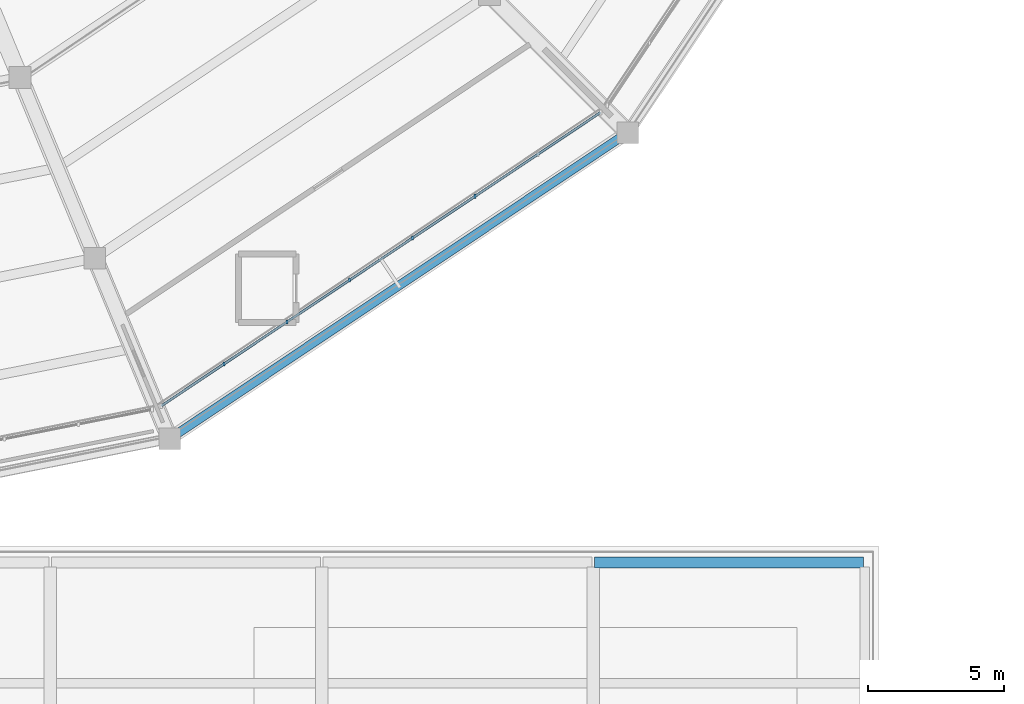
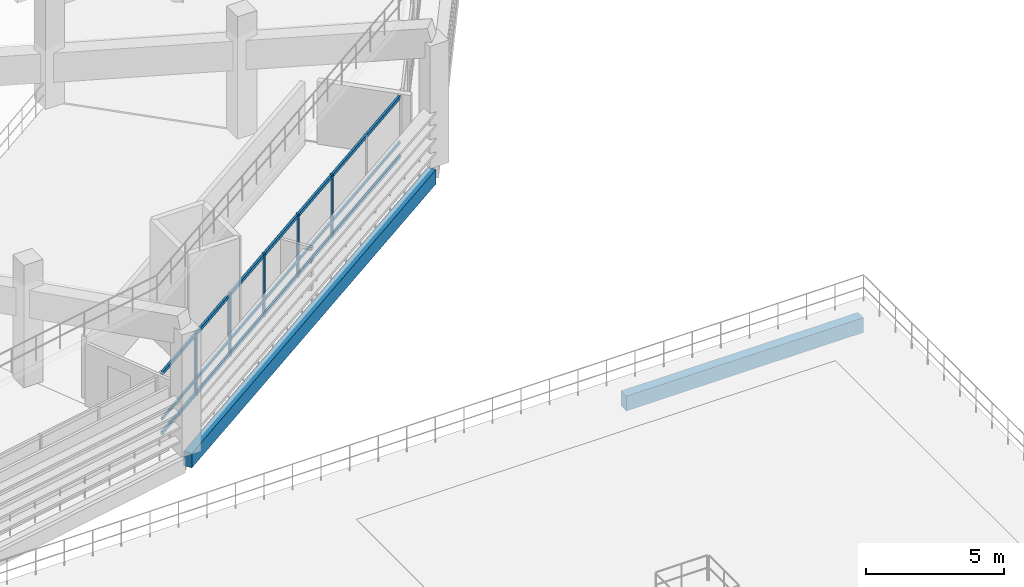
# One storey, part 29 of 96: 8 members, 2 beams, 1 element without a shape of its own.
"""IFC4 building model written with IfcOpenShell, lengths in metres."""

from ifc_helpers import new_model, si_unit, direction, frame, origin, origin_2d, place, context, subcontext, project, spatial, rectangle, extrude, material, material_profile, profile_set, type_object, element, aggregate, save


model = new_model("IFC4")

# Units and contexts
model_context = context("Model", 3, precision=1e-05, world=origin(), true_north=direction((0.0, 1.0)))
body_context = subcontext(model_context, "Body", "Model", "MODEL_VIEW")
ifc_project = project(units=[si_unit("LENGTHUNIT", "METRE"), si_unit("AREAUNIT", "SQUARE_METRE"), si_unit("VOLUMEUNIT", "CUBIC_METRE"), si_unit("PLANEANGLEUNIT", "RADIAN"), si_unit("MASSUNIT", "GRAM", prefix="KILO")], contexts=[model_context])

# Site, building, storey
site_placement = place(None, origin())
site = spatial("IfcSite", under=ifc_project, at=site_placement, CompositionType="ELEMENT")
building_placement = place(site_placement, origin())
building = spatial("IfcBuilding", under=site, at=building_placement, Name="Candeia Ridge Stadium", CompositionType="ELEMENT")
storey_placement = place(building_placement, frame((0.0, 0.0, 21.60009765625)))
storey = spatial("IfcBuildingStorey", under=building, at=storey_placement, Name="L04", CompositionType="ELEMENT", Elevation=21.60009765625)

# Curtain wall, members
ifc_material_1 = material(Name="Aluminium Anodized Warm Bronze", Category="aluminium")
curtain_wall_type = type_object("IfcCurtainWallType", Name="Concourse Recessed Unitised Curtain Wall", PredefinedType="NOTDEFINED", material=ifc_material_1)
curtain_wall_placement = place(storey_placement, origin())
curtain_wall = element("IfcCurtainWall", 1, at=curtain_wall_placement, inside=storey, type_object=curtain_wall_type, Name="Unitised curtain wall CW-BWL-L04-26", PredefinedType="NOTDEFINED")
ifc_material_profile_1 = material_profile(ifc_material_1, rectangle(XDim=0.074951171875, YDim=0.14990234375, at=origin_2d()), Name="CWM-75x150", Category="aluminium")
ifc_profile_set_1 = profile_set([ifc_material_profile_1], Name="Aluminium Anodized Warm Bronze")
member_type_1 = type_object("IfcMemberType", Name="Curtain Wall Secondary Mullion 75x150", PredefinedType="MULLION", material=ifc_profile_set_1)
member_1_placement = place(storey_placement, frame((162.901611328125, 25.71142578125, 0.0), z_axis=(0.0, 0.0, 1.0), x_axis=(1.0, 0.0, 0.0)))
member_1 = element("IfcMember", 2, at=member_1_placement, type_object=member_type_1, Name="Curtain wall mullion CW-BWL-L04-26-M1", PredefinedType="MULLION", context=body_context, shape_type="SweptSolid", body=[
    extrude(rectangle(XDim=0.074951171875, YDim=0.14990234375, at=origin_2d()), origin(), (0.0, 0.0, 1.0), 2.772216796875),
])
member_2_placement = place(storey_placement, frame((165.21337890625, 27.256103515625, 0.0), z_axis=(0.0, 0.0, 1.0), x_axis=(1.0, 0.0, 0.0)))
member_2 = element("IfcMember", 3, at=member_2_placement, type_object=member_type_1, Name="Curtain wall mullion CW-BWL-L04-26-M2", PredefinedType="MULLION", context=body_context, shape_type="SweptSolid", body=[
    extrude(rectangle(XDim=0.074951171875, YDim=0.14990234375, at=origin_2d()), origin(), (0.0, 0.0, 1.0), 2.772216796875),
])
member_3_placement = place(storey_placement, frame((167.52490234375, 28.80078125, 0.0), z_axis=(0.0, 0.0, 1.0), x_axis=(1.0, 0.0, 0.0)))
member_3 = element("IfcMember", 4, at=member_3_placement, type_object=member_type_1, Name="Curtain wall mullion CW-BWL-L04-26-M3", PredefinedType="MULLION", context=body_context, shape_type="SweptSolid", body=[
    extrude(rectangle(XDim=0.074951171875, YDim=0.14990234375, at=origin_2d()), origin(), (0.0, 0.0, 1.0), 2.772216796875),
])
member_4_placement = place(storey_placement, frame((169.83642578125, 30.34521484375, 0.0), z_axis=(0.0, 0.0, 1.0), x_axis=(1.0, 0.0, 0.0)))
member_4 = element("IfcMember", 5, at=member_4_placement, type_object=member_type_1, Name="Curtain wall mullion CW-BWL-L04-26-M4", PredefinedType="MULLION", context=body_context, shape_type="SweptSolid", body=[
    extrude(rectangle(XDim=0.074951171875, YDim=0.14990234375, at=origin_2d()), origin(), (0.0, 0.0, 1.0), 2.772216796875),
])
member_5_placement = place(storey_placement, frame((172.148193359375, 31.889892578125, 0.0), z_axis=(0.0, 0.0, 1.0), x_axis=(1.0, 0.0, 0.0)))
member_5 = element("IfcMember", 6, at=member_5_placement, type_object=member_type_1, Name="Curtain wall mullion CW-BWL-L04-26-M5", PredefinedType="MULLION", context=body_context, shape_type="SweptSolid", body=[
    extrude(rectangle(XDim=0.074951171875, YDim=0.14990234375, at=origin_2d()), origin(), (0.0, 0.0, 1.0), 2.772216796875),
])
ifc_material_profile_2 = material_profile(ifc_material_1, rectangle(XDim=0.074951171875, YDim=0.110107421875, at=origin_2d()), Name="CWT-75x110", Category="aluminium")
ifc_profile_set_2 = profile_set([ifc_material_profile_2], Name="Aluminium Anodized Warm Bronze")
member_type_2 = type_object("IfcMemberType", Name="Curtain Wall Secondary Transom 75x110", PredefinedType="USERDEFINED", material=ifc_profile_set_2)
member_6_placement = place(storey_placement, frame((160.590087890625, 24.1669921875, 0.693115234375), z_axis=(0.831470840517, 0.555568394863, 0.0), x_axis=(-0.555568394863, 0.831470840517, 0.0)))
member_6 = element("IfcMember", 7, at=member_6_placement, type_object=member_type_2, Name="Curtain wall transom CW-BWL-L04-26-T1", ObjectType="TRANSOM", PredefinedType="USERDEFINED", context=body_context, shape_type="SweptSolid", body=[
    extrude(rectangle(XDim=0.074951171875, YDim=0.110107421875, at=origin_2d()), origin(), (0.0, 0.0, 1.0), 19.461181640625),
])
ifc_material_profile_3 = material_profile(ifc_material_1, rectangle(XDim=0.090087890625, YDim=0.139892578125, at=origin_2d()), Name="CWT-90x140", Category="aluminium")
ifc_profile_set_3 = profile_set([ifc_material_profile_3], Name="Aluminium Anodized Warm Bronze")
member_type_3 = type_object("IfcMemberType", Name="Curtain Wall Transom 90x140", PredefinedType="USERDEFINED", material=ifc_profile_set_3)
member_7_placement = place(storey_placement, frame((160.590087890625, 24.1669921875, 0.06982421875), z_axis=(0.831470840517, 0.555568394863, 0.0), x_axis=(-0.555568394863, 0.831470840517, 0.0)))
member_7 = element("IfcMember", 8, at=member_7_placement, type_object=member_type_3, Name="Curtain wall transom CW-BWL-L04-26-T0", ObjectType="TRANSOM", PredefinedType="USERDEFINED", context=body_context, shape_type="SweptSolid", body=[
    extrude(rectangle(XDim=0.090087890625, YDim=0.139892578125, at=origin_2d()), origin(), (0.0, 0.0, 1.0), 19.461181640625),
])
member_8_placement = place(storey_placement, frame((160.590087890625, 24.1669921875, 2.7021484375), z_axis=(0.831470840517, 0.555568394863, 0.0), x_axis=(-0.555568394863, 0.831470840517, 0.0)))
member_8 = element("IfcMember", 9, at=member_8_placement, type_object=member_type_3, Name="Curtain wall transom CW-BWL-L04-26-T2", ObjectType="TRANSOM", PredefinedType="USERDEFINED", context=body_context, shape_type="SweptSolid", body=[
    extrude(rectangle(XDim=0.090087890625, YDim=0.139892578125, at=origin_2d()), origin(), (0.0, 0.0, 1.0), 19.461181640625),
])
aggregate(curtain_wall, [member_1, member_2, member_3, member_4, member_5, member_7, member_6, member_8])

# Beams
ifc_material_2 = material(Name="Concrete C40/50", Category="concrete")
ifc_material_profile_4 = material_profile(ifc_material_2, rectangle(XDim=0.330078125, YDim=0.639892578125, at=origin_2d()), Name="RC330x640", Category="concrete")
ifc_profile_set_4 = profile_set([ifc_material_profile_4], Name="Concrete C40/50")
beam_type_1 = type_object("IfcBeamType", Name="Spandrel Beam RC330x640", PredefinedType="SPANDREL", material=ifc_profile_set_4)
beam_1_placement = place(storey_placement, frame((161.032470703125, 23.047119140625, -0.580078125), z_axis=(0.831468647505, 0.555571676938, 0.0), x_axis=(-0.555571676938, 0.831468647505, 0.0)))
element("IfcBeam", 10, at=beam_1_placement, inside=storey, type_object=beam_type_1, Name="Bowl perimeter spandrel BM-L04-0915", PredefinedType="SPANDREL", context=body_context, shape_type="SweptSolid", body=[
    extrude(rectangle(XDim=0.330078125, YDim=0.639892578125, at=origin_2d()), origin(), (0.0, 0.0, 1.0), 19.969482421875),
])
ifc_material_profile_5 = material_profile(ifc_material_2, rectangle(XDim=0.39990234375, YDim=0.64990234375, at=origin_2d()), Name="RC400x650", Category="concrete")
ifc_profile_set_5 = profile_set([ifc_material_profile_5], Name="Concrete C40/50")
beam_type_2 = type_object("IfcBeamType", Name="Wing Primary Girder RC400x650", PredefinedType="BEAM", material=ifc_profile_set_5)
beam_2_placement = place(storey_placement, frame((176.550048828125, 18.39990234375, -0.60498046875), z_axis=(1.0, 0.0, 0.0), x_axis=(0.0, 1.0, 0.0)))
element("IfcBeam", 11, at=beam_2_placement, inside=storey, type_object=beam_type_2, Name="Structural girder BM-L04-2527", PredefinedType="BEAM", context=body_context, shape_type="SweptSolid", body=[
    extrude(rectangle(XDim=0.39990234375, YDim=0.64990234375, at=origin_2d()), origin(), (0.0, 0.0, 1.0), 9.89990234375),
])

save(model, "model.ifc")
